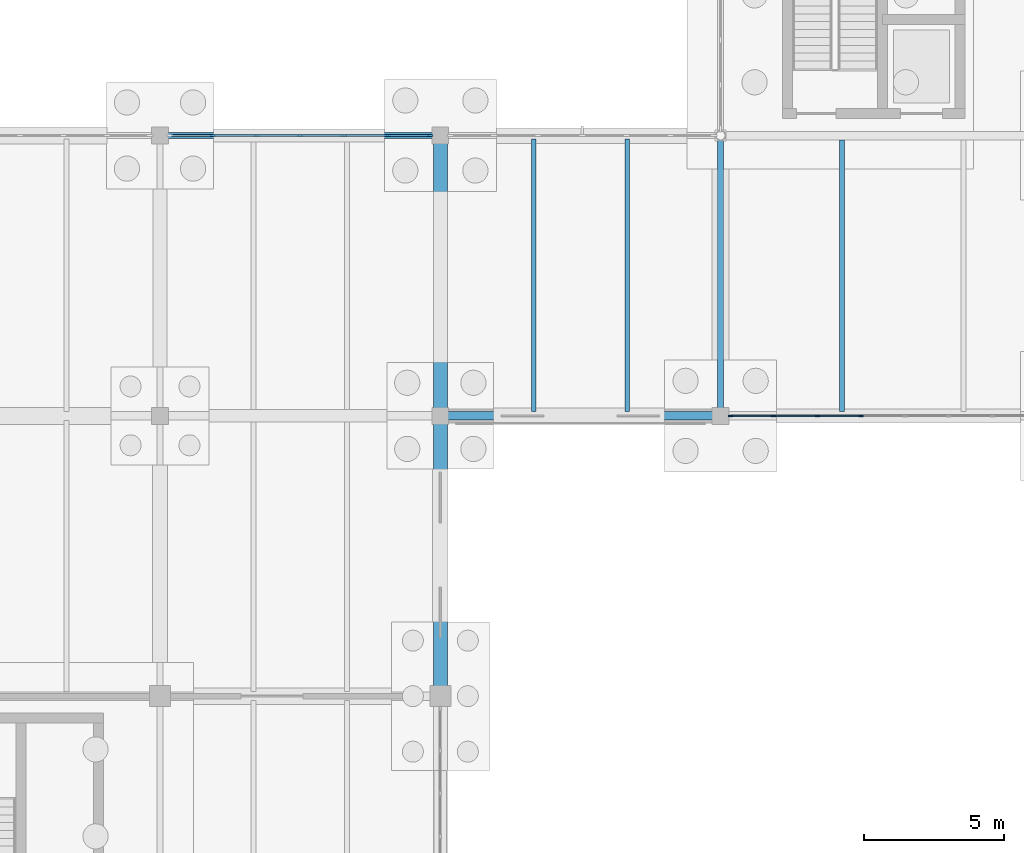
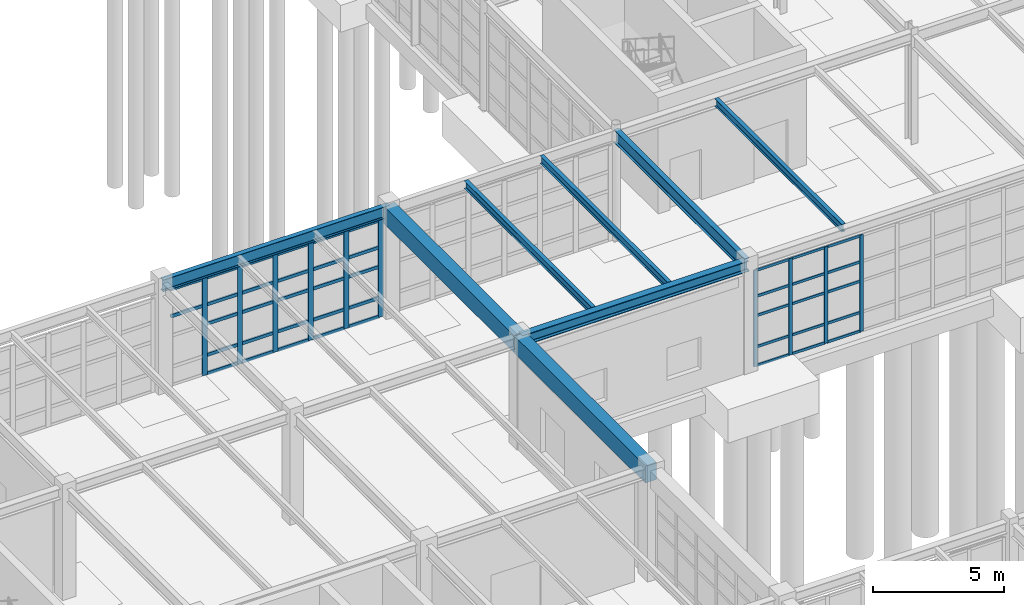
# One storey, part 49 of 145: 52 members, 8 beams, 2 elements without a shape of their own.
"""IFC4 building model written with IfcOpenShell, lengths in metres."""

from ifc_helpers import new_model, si_unit, direction, frame, origin, origin_2d, place, context, subcontext, project, spatial, rectangle, i_section, extrude, material, layer, layer_set, material_profile, profile_set, type_object, element, aggregate, save


model = new_model("IFC4")

# Units and contexts
model_context = context("Model", 3, precision=1e-05, world=origin(), true_north=direction((0.0, 1.0)))
body_context = subcontext(model_context, "Body", "Model", "MODEL_VIEW")
ifc_project = project(units=[si_unit("LENGTHUNIT", "METRE"), si_unit("AREAUNIT", "SQUARE_METRE"), si_unit("VOLUMEUNIT", "CUBIC_METRE"), si_unit("PLANEANGLEUNIT", "RADIAN"), si_unit("MASSUNIT", "GRAM", prefix="KILO"), si_unit("THERMODYNAMICTEMPERATUREUNIT", "KELVIN"), si_unit("POWERUNIT", "WATT")], contexts=[model_context])

# Site, building, storey
site_placement = place(None, origin())
site = spatial("IfcSite", under=ifc_project, at=site_placement, CompositionType="ELEMENT")
building_placement = place(site_placement, origin())
building = spatial("IfcBuilding", under=site, at=building_placement, Name="Korenveer Ferry Terminal", CompositionType="ELEMENT")
storey_placement = place(building_placement, origin())
storey = spatial("IfcBuildingStorey", under=building, at=storey_placement, Name="L00", CompositionType="ELEMENT", Elevation=0.0)

# Curtain wall, members
ifc_material_1 = material(Name="Unitised bronze-and-glass curtain wall", Category="glass")
ifc_layer_1 = layer(ifc_material_1, 0.159912109375)
ifc_layer_set_1 = layer_set([ifc_layer_1], Name="Unitised bronze-and-glass curtain wall")
curtain_wall_type_1 = type_object("IfcCurtainWallType", Name="ENV-CW-06", PredefinedType="USERDEFINED", material=ifc_layer_set_1)
curtain_wall_1_placement = place(storey_placement, frame((40.330078125, 70.0, 0.0)))
curtain_wall_1 = element("IfcCurtainWall", 1, at=curtain_wall_1_placement, inside=storey, type_object=curtain_wall_type_1, Name="Lancet curtain wall CWX-L00-X40-53-Y70-70", ObjectType="UNITISED CURTAIN WALL", PredefinedType="USERDEFINED")
ifc_material_2 = material(Name="Anodised bronze aluminium", Category="aluminium")
ifc_material_profile_1 = material_profile(ifc_material_2, rectangle(XDim=0.06005859375, YDim=0.159912109375, at=origin_2d()), Name="ALU 60x160")
ifc_profile_set_1 = profile_set([ifc_material_profile_1], Name="Anodised bronze aluminium")
member_type_1 = type_object("IfcMemberType", Name="ENV-CWM-60X160", PredefinedType="MULLION", material=ifc_profile_set_1)
member_1_placement = place(storey_placement, frame((40.360107421875, 70.0, 0.0), z_axis=(0.0, 0.0, 1.0), x_axis=(0.0, 1.0, 0.0)))
member_1 = element("IfcMember", 2, at=member_1_placement, type_object=member_type_1, Name="CW-06 mullion 1", PredefinedType="MULLION", context=body_context, shape_type="SweptSolid", body=[
    extrude(rectangle(XDim=0.06005859375, YDim=0.159912109375, at=origin_2d()), origin(), (0.0, 0.0, 1.0), 4.489990234375),
])
member_2_placement = place(storey_placement, frame((41.891357421875, 70.0, 0.0), z_axis=(0.0, 0.0, 1.0), x_axis=(0.0, 1.0, 0.0)))
member_2 = element("IfcMember", 3, at=member_2_placement, type_object=member_type_1, Name="CW-06 mullion 2", PredefinedType="MULLION", context=body_context, shape_type="SweptSolid", body=[
    extrude(rectangle(XDim=0.06005859375, YDim=0.159912109375, at=origin_2d()), origin(), (0.0, 0.0, 1.0), 4.489990234375),
])
member_3_placement = place(storey_placement, frame((43.452392578125, 70.0, 0.0), z_axis=(0.0, 0.0, 1.0), x_axis=(0.0, 1.0, 0.0)))
member_3 = element("IfcMember", 4, at=member_3_placement, type_object=member_type_1, Name="CW-06 mullion 3", PredefinedType="MULLION", context=body_context, shape_type="SweptSolid", body=[
    extrude(rectangle(XDim=0.06005859375, YDim=0.159912109375, at=origin_2d()), origin(), (0.0, 0.0, 1.0), 4.489990234375),
])
member_4_placement = place(storey_placement, frame((45.013671875, 70.0, 0.0), z_axis=(0.0, 0.0, 1.0), x_axis=(0.0, 1.0, 0.0)))
member_4 = element("IfcMember", 5, at=member_4_placement, type_object=member_type_1, Name="CW-06 mullion 4", PredefinedType="MULLION", context=body_context, shape_type="SweptSolid", body=[
    extrude(rectangle(XDim=0.06005859375, YDim=0.159912109375, at=origin_2d()), origin(), (0.0, 0.0, 1.0), 4.489990234375),
])

ifc_layer_2 = layer(ifc_material_1, 0.219970703125)
ifc_layer_set_2 = layer_set([ifc_layer_2], Name="Unitised bronze-and-glass curtain wall")
curtain_wall_type_2 = type_object("IfcCurtainWallType", Name="ENV-CW-10", PredefinedType="USERDEFINED", material=ifc_layer_set_2)
curtain_wall_2_placement = place(storey_placement, frame((20.330078125, 80.0, 0.0)))
curtain_wall_2 = element("IfcCurtainWall", 6, at=curtain_wall_2_placement, inside=storey, type_object=curtain_wall_type_2, Name="Lancet curtain wall CWX-L00-X20-30-Y80-80", ObjectType="UNITISED CURTAIN WALL", PredefinedType="USERDEFINED")
ifc_material_profile_2 = material_profile(ifc_material_2, rectangle(XDim=0.074951171875, YDim=0.219970703125, at=origin_2d()), Name="ALU 75x220")
ifc_profile_set_2 = profile_set([ifc_material_profile_2], Name="Anodised bronze aluminium")
member_type_2 = type_object("IfcMemberType", Name="ENV-CWM-75X220", PredefinedType="MULLION", material=ifc_profile_set_2)
member_5_placement = place(storey_placement, frame((21.88671875, 80.0, 0.0), z_axis=(0.0, 0.0, 1.0), x_axis=(0.0, 1.0, 0.0)))
member_5 = element("IfcMember", 7, at=member_5_placement, type_object=member_type_2, Name="CW-10 mullion 2", PredefinedType="MULLION", context=body_context, shape_type="SweptSolid", body=[
    extrude(rectangle(XDim=0.074951171875, YDim=0.219970703125, at=origin_2d()), origin(), (0.0, 0.0, 1.0), 4.5400390625),
])
member_6_placement = place(storey_placement, frame((23.443359375, 80.0, 0.0), z_axis=(0.0, 0.0, 1.0), x_axis=(0.0, 1.0, 0.0)))
member_6 = element("IfcMember", 8, at=member_6_placement, type_object=member_type_2, Name="CW-10 mullion 3", PredefinedType="MULLION", context=body_context, shape_type="SweptSolid", body=[
    extrude(rectangle(XDim=0.074951171875, YDim=0.219970703125, at=origin_2d()), origin(), (0.0, 0.0, 1.0), 4.5400390625),
])
member_7_placement = place(storey_placement, frame((25.0, 80.0, 0.0), z_axis=(0.0, 0.0, 1.0), x_axis=(0.0, 1.0, 0.0)))
member_7 = element("IfcMember", 9, at=member_7_placement, type_object=member_type_2, Name="CW-10 mullion 4", PredefinedType="MULLION", context=body_context, shape_type="SweptSolid", body=[
    extrude(rectangle(XDim=0.074951171875, YDim=0.219970703125, at=origin_2d()), origin(), (0.0, 0.0, 1.0), 4.5400390625),
])
member_8_placement = place(storey_placement, frame((26.556640625, 80.0, 0.0), z_axis=(0.0, 0.0, 1.0), x_axis=(0.0, 1.0, 0.0)))
member_8 = element("IfcMember", 10, at=member_8_placement, type_object=member_type_2, Name="CW-10 mullion 5", PredefinedType="MULLION", context=body_context, shape_type="SweptSolid", body=[
    extrude(rectangle(XDim=0.074951171875, YDim=0.219970703125, at=origin_2d()), origin(), (0.0, 0.0, 1.0), 4.5400390625),
])
member_9_placement = place(storey_placement, frame((28.11328125, 80.0, 0.0), z_axis=(0.0, 0.0, 1.0), x_axis=(0.0, 1.0, 0.0)))
member_9 = element("IfcMember", 11, at=member_9_placement, type_object=member_type_2, Name="CW-10 mullion 6", PredefinedType="MULLION", context=body_context, shape_type="SweptSolid", body=[
    extrude(rectangle(XDim=0.074951171875, YDim=0.219970703125, at=origin_2d()), origin(), (0.0, 0.0, 1.0), 4.5400390625),
])
member_10_placement = place(storey_placement, frame((29.632568359375, 80.0, 0.0), z_axis=(0.0, 0.0, 1.0), x_axis=(0.0, 1.0, 0.0)))
member_10 = element("IfcMember", 12, at=member_10_placement, type_object=member_type_2, Name="CW-10 mullion 7", PredefinedType="MULLION", context=body_context, shape_type="SweptSolid", body=[
    extrude(rectangle(XDim=0.074951171875, YDim=0.219970703125, at=origin_2d()), origin(), (0.0, 0.0, 1.0), 4.5400390625),
])

# Member
ifc_material_profile_3 = material_profile(ifc_material_2, rectangle(XDim=0.06005859375, YDim=0.1201171875, at=origin_2d()), Name="ALU 60x120")
ifc_profile_set_3 = profile_set([ifc_material_profile_3], Name="Anodised bronze aluminium")
member_type_3 = type_object("IfcMemberType", Name="ENV-CWT-60X120", PredefinedType="USERDEFINED", material=ifc_profile_set_3)
member_11_placement = place(storey_placement, frame((40.389892578125, 70.0, 0.030029296875), z_axis=(1.0, 0.0, 0.0), x_axis=(0.0, 1.0, 0.0)))
member_11 = element("IfcMember", 13, at=member_11_placement, type_object=member_type_3, Name="CW-06 transom 1.1", ObjectType="TRANSOM", PredefinedType="USERDEFINED", context=body_context, shape_type="SweptSolid", body=[
    extrude(rectangle(XDim=0.06005859375, YDim=0.1201171875, at=origin_2d()), origin(), (0.0, 0.0, 1.0), 1.471435546875),
])

member_12_placement = place(storey_placement, frame((40.389892578125, 70.0, 0.89990234375), z_axis=(1.0, 0.0, 0.0), x_axis=(0.0, 1.0, 0.0)))
member_12 = element("IfcMember", 14, at=member_12_placement, type_object=member_type_3, Name="CW-06 transom 1.2", ObjectType="TRANSOM", PredefinedType="USERDEFINED", context=body_context, shape_type="SweptSolid", body=[
    extrude(rectangle(XDim=0.06005859375, YDim=0.1201171875, at=origin_2d()), origin(), (0.0, 0.0, 1.0), 1.471435546875),
])

member_13_placement = place(storey_placement, frame((40.389892578125, 70.0, 2.35009765625), z_axis=(1.0, 0.0, 0.0), x_axis=(0.0, 1.0, 0.0)))
member_13 = element("IfcMember", 15, at=member_13_placement, type_object=member_type_3, Name="CW-06 transom 1.3", ObjectType="TRANSOM", PredefinedType="USERDEFINED", context=body_context, shape_type="SweptSolid", body=[
    extrude(rectangle(XDim=0.06005859375, YDim=0.1201171875, at=origin_2d()), origin(), (0.0, 0.0, 1.0), 1.471435546875),
])

member_14_placement = place(storey_placement, frame((40.389892578125, 70.0, 3.25), z_axis=(1.0, 0.0, 0.0), x_axis=(0.0, 1.0, 0.0)))
member_14 = element("IfcMember", 16, at=member_14_placement, type_object=member_type_3, Name="CW-06 transom 1.4", ObjectType="TRANSOM", PredefinedType="USERDEFINED", context=body_context, shape_type="SweptSolid", body=[
    extrude(rectangle(XDim=0.06005859375, YDim=0.1201171875, at=origin_2d()), origin(), (0.0, 0.0, 1.0), 1.471435546875),
])

member_15_placement = place(storey_placement, frame((40.389892578125, 70.0, 4.4599609375), z_axis=(1.0, 0.0, 0.0), x_axis=(0.0, 1.0, 0.0)))
member_15 = element("IfcMember", 17, at=member_15_placement, type_object=member_type_3, Name="CW-06 transom 1.5", ObjectType="TRANSOM", PredefinedType="USERDEFINED", context=body_context, shape_type="SweptSolid", body=[
    extrude(rectangle(XDim=0.06005859375, YDim=0.1201171875, at=origin_2d()), origin(), (0.0, 0.0, 1.0), 1.471435546875),
])

member_16_placement = place(storey_placement, frame((41.921142578125, 70.0, 0.030029296875), z_axis=(1.0, 0.0, 0.0), x_axis=(0.0, 1.0, 0.0)))
member_16 = element("IfcMember", 18, at=member_16_placement, type_object=member_type_3, Name="CW-06 transom 2.1", ObjectType="TRANSOM", PredefinedType="USERDEFINED", context=body_context, shape_type="SweptSolid", body=[
    extrude(rectangle(XDim=0.06005859375, YDim=0.1201171875, at=origin_2d()), origin(), (0.0, 0.0, 1.0), 1.50146484375),
])

member_17_placement = place(storey_placement, frame((41.921142578125, 70.0, 0.89990234375), z_axis=(1.0, 0.0, 0.0), x_axis=(0.0, 1.0, 0.0)))
member_17 = element("IfcMember", 19, at=member_17_placement, type_object=member_type_3, Name="CW-06 transom 2.2", ObjectType="TRANSOM", PredefinedType="USERDEFINED", context=body_context, shape_type="SweptSolid", body=[
    extrude(rectangle(XDim=0.06005859375, YDim=0.1201171875, at=origin_2d()), origin(), (0.0, 0.0, 1.0), 1.50146484375),
])

member_18_placement = place(storey_placement, frame((41.921142578125, 70.0, 2.35009765625), z_axis=(1.0, 0.0, 0.0), x_axis=(0.0, 1.0, 0.0)))
member_18 = element("IfcMember", 20, at=member_18_placement, type_object=member_type_3, Name="CW-06 transom 2.3", ObjectType="TRANSOM", PredefinedType="USERDEFINED", context=body_context, shape_type="SweptSolid", body=[
    extrude(rectangle(XDim=0.06005859375, YDim=0.1201171875, at=origin_2d()), origin(), (0.0, 0.0, 1.0), 1.50146484375),
])

member_19_placement = place(storey_placement, frame((41.921142578125, 70.0, 3.25), z_axis=(1.0, 0.0, 0.0), x_axis=(0.0, 1.0, 0.0)))
member_19 = element("IfcMember", 21, at=member_19_placement, type_object=member_type_3, Name="CW-06 transom 2.4", ObjectType="TRANSOM", PredefinedType="USERDEFINED", context=body_context, shape_type="SweptSolid", body=[
    extrude(rectangle(XDim=0.06005859375, YDim=0.1201171875, at=origin_2d()), origin(), (0.0, 0.0, 1.0), 1.50146484375),
])

member_20_placement = place(storey_placement, frame((41.921142578125, 70.0, 4.4599609375), z_axis=(1.0, 0.0, 0.0), x_axis=(0.0, 1.0, 0.0)))
member_20 = element("IfcMember", 22, at=member_20_placement, type_object=member_type_3, Name="CW-06 transom 2.5", ObjectType="TRANSOM", PredefinedType="USERDEFINED", context=body_context, shape_type="SweptSolid", body=[
    extrude(rectangle(XDim=0.06005859375, YDim=0.1201171875, at=origin_2d()), origin(), (0.0, 0.0, 1.0), 1.50146484375),
])

member_21_placement = place(storey_placement, frame((43.482421875, 70.0, 0.030029296875), z_axis=(1.0, 0.0, 0.0), x_axis=(0.0, 1.0, 0.0)))
member_21 = element("IfcMember", 23, at=member_21_placement, type_object=member_type_3, Name="CW-06 transom 3.1", ObjectType="TRANSOM", PredefinedType="USERDEFINED", context=body_context, shape_type="SweptSolid", body=[
    extrude(rectangle(XDim=0.06005859375, YDim=0.1201171875, at=origin_2d()), origin(), (0.0, 0.0, 1.0), 1.501220703125),
])

member_22_placement = place(storey_placement, frame((43.482421875, 70.0, 0.89990234375), z_axis=(1.0, 0.0, 0.0), x_axis=(0.0, 1.0, 0.0)))
member_22 = element("IfcMember", 24, at=member_22_placement, type_object=member_type_3, Name="CW-06 transom 3.2", ObjectType="TRANSOM", PredefinedType="USERDEFINED", context=body_context, shape_type="SweptSolid", body=[
    extrude(rectangle(XDim=0.06005859375, YDim=0.1201171875, at=origin_2d()), origin(), (0.0, 0.0, 1.0), 1.501220703125),
])

member_23_placement = place(storey_placement, frame((43.482421875, 70.0, 2.35009765625), z_axis=(1.0, 0.0, 0.0), x_axis=(0.0, 1.0, 0.0)))
member_23 = element("IfcMember", 25, at=member_23_placement, type_object=member_type_3, Name="CW-06 transom 3.3", ObjectType="TRANSOM", PredefinedType="USERDEFINED", context=body_context, shape_type="SweptSolid", body=[
    extrude(rectangle(XDim=0.06005859375, YDim=0.1201171875, at=origin_2d()), origin(), (0.0, 0.0, 1.0), 1.501220703125),
])

member_24_placement = place(storey_placement, frame((43.482421875, 70.0, 3.25), z_axis=(1.0, 0.0, 0.0), x_axis=(0.0, 1.0, 0.0)))
member_24 = element("IfcMember", 26, at=member_24_placement, type_object=member_type_3, Name="CW-06 transom 3.4", ObjectType="TRANSOM", PredefinedType="USERDEFINED", context=body_context, shape_type="SweptSolid", body=[
    extrude(rectangle(XDim=0.06005859375, YDim=0.1201171875, at=origin_2d()), origin(), (0.0, 0.0, 1.0), 1.501220703125),
])

member_25_placement = place(storey_placement, frame((43.482421875, 70.0, 4.4599609375), z_axis=(1.0, 0.0, 0.0), x_axis=(0.0, 1.0, 0.0)))
member_25 = element("IfcMember", 27, at=member_25_placement, type_object=member_type_3, Name="CW-06 transom 3.5", ObjectType="TRANSOM", PredefinedType="USERDEFINED", context=body_context, shape_type="SweptSolid", body=[
    extrude(rectangle(XDim=0.06005859375, YDim=0.1201171875, at=origin_2d()), origin(), (0.0, 0.0, 1.0), 1.501220703125),
])

aggregate(curtain_wall_1, [member_1, member_2, member_3, member_4, member_11, member_12, member_13, member_14, member_15, member_16, member_17, member_18, member_19, member_20, member_21, member_22, member_23, member_24, member_25])

ifc_material_profile_4 = material_profile(ifc_material_2, rectangle(XDim=0.074951171875, YDim=0.14990234375, at=origin_2d()), Name="ALU 75x150")
ifc_profile_set_4 = profile_set([ifc_material_profile_4], Name="Anodised bronze aluminium")
member_type_4 = type_object("IfcMemberType", Name="ENV-CWT-75X150", PredefinedType="USERDEFINED", material=ifc_profile_set_4)
member_26_placement = place(storey_placement, frame((20.405029296875, 80.0, 3.25), z_axis=(1.0, 0.0, 0.0), x_axis=(0.0, 1.0, 0.0)))
member_26 = element("IfcMember", 28, at=member_26_placement, type_object=member_type_4, Name="CW-10 transom 1.4", ObjectType="TRANSOM", PredefinedType="USERDEFINED", context=body_context, shape_type="SweptSolid", body=[
    extrude(rectangle(XDim=0.074951171875, YDim=0.14990234375, at=origin_2d()), origin(), (0.0, 0.0, 1.0), 1.444091796875),
])

member_27_placement = place(storey_placement, frame((20.405029296875, 80.0, 4.50244140625), z_axis=(1.0, 0.0, 0.0), x_axis=(0.0, 1.0, 0.0)))
member_27 = element("IfcMember", 29, at=member_27_placement, type_object=member_type_4, Name="CW-10 transom 1.5", ObjectType="TRANSOM", PredefinedType="USERDEFINED", context=body_context, shape_type="SweptSolid", body=[
    extrude(rectangle(XDim=0.074951171875, YDim=0.14990234375, at=origin_2d()), origin(), (0.0, 0.0, 1.0), 1.444091796875),
])

member_28_placement = place(storey_placement, frame((21.924072265625, 80.0, 0.03759765625), z_axis=(1.0, 0.0, 0.0), x_axis=(0.0, 1.0, 0.0)))
member_28 = element("IfcMember", 30, at=member_28_placement, type_object=member_type_4, Name="CW-10 transom 2.1", ObjectType="TRANSOM", PredefinedType="USERDEFINED", context=body_context, shape_type="SweptSolid", body=[
    extrude(rectangle(XDim=0.074951171875, YDim=0.14990234375, at=origin_2d()), origin(), (0.0, 0.0, 1.0), 1.481689453125),
])

member_29_placement = place(storey_placement, frame((21.924072265625, 80.0, 0.89990234375), z_axis=(1.0, 0.0, 0.0), x_axis=(0.0, 1.0, 0.0)))
member_29 = element("IfcMember", 31, at=member_29_placement, type_object=member_type_4, Name="CW-10 transom 2.2", ObjectType="TRANSOM", PredefinedType="USERDEFINED", context=body_context, shape_type="SweptSolid", body=[
    extrude(rectangle(XDim=0.074951171875, YDim=0.14990234375, at=origin_2d()), origin(), (0.0, 0.0, 1.0), 1.481689453125),
])

member_30_placement = place(storey_placement, frame((21.924072265625, 80.0, 2.35009765625), z_axis=(1.0, 0.0, 0.0), x_axis=(0.0, 1.0, 0.0)))
member_30 = element("IfcMember", 32, at=member_30_placement, type_object=member_type_4, Name="CW-10 transom 2.3", ObjectType="TRANSOM", PredefinedType="USERDEFINED", context=body_context, shape_type="SweptSolid", body=[
    extrude(rectangle(XDim=0.074951171875, YDim=0.14990234375, at=origin_2d()), origin(), (0.0, 0.0, 1.0), 1.481689453125),
])

member_31_placement = place(storey_placement, frame((21.924072265625, 80.0, 3.25), z_axis=(1.0, 0.0, 0.0), x_axis=(0.0, 1.0, 0.0)))
member_31 = element("IfcMember", 33, at=member_31_placement, type_object=member_type_4, Name="CW-10 transom 2.4", ObjectType="TRANSOM", PredefinedType="USERDEFINED", context=body_context, shape_type="SweptSolid", body=[
    extrude(rectangle(XDim=0.074951171875, YDim=0.14990234375, at=origin_2d()), origin(), (0.0, 0.0, 1.0), 1.481689453125),
])

member_32_placement = place(storey_placement, frame((21.924072265625, 80.0, 4.50244140625), z_axis=(1.0, 0.0, 0.0), x_axis=(0.0, 1.0, 0.0)))
member_32 = element("IfcMember", 34, at=member_32_placement, type_object=member_type_4, Name="CW-10 transom 2.5", ObjectType="TRANSOM", PredefinedType="USERDEFINED", context=body_context, shape_type="SweptSolid", body=[
    extrude(rectangle(XDim=0.074951171875, YDim=0.14990234375, at=origin_2d()), origin(), (0.0, 0.0, 1.0), 1.481689453125),
])

member_33_placement = place(storey_placement, frame((23.480712890625, 80.0, 0.03759765625), z_axis=(1.0, 0.0, 0.0), x_axis=(0.0, 1.0, 0.0)))
member_33 = element("IfcMember", 35, at=member_33_placement, type_object=member_type_4, Name="CW-10 transom 3.1", ObjectType="TRANSOM", PredefinedType="USERDEFINED", context=body_context, shape_type="SweptSolid", body=[
    extrude(rectangle(XDim=0.074951171875, YDim=0.14990234375, at=origin_2d()), origin(), (0.0, 0.0, 1.0), 1.481689453125),
])

member_34_placement = place(storey_placement, frame((23.480712890625, 80.0, 0.89990234375), z_axis=(1.0, 0.0, 0.0), x_axis=(0.0, 1.0, 0.0)))
member_34 = element("IfcMember", 36, at=member_34_placement, type_object=member_type_4, Name="CW-10 transom 3.2", ObjectType="TRANSOM", PredefinedType="USERDEFINED", context=body_context, shape_type="SweptSolid", body=[
    extrude(rectangle(XDim=0.074951171875, YDim=0.14990234375, at=origin_2d()), origin(), (0.0, 0.0, 1.0), 1.481689453125),
])

member_35_placement = place(storey_placement, frame((23.480712890625, 80.0, 2.35009765625), z_axis=(1.0, 0.0, 0.0), x_axis=(0.0, 1.0, 0.0)))
member_35 = element("IfcMember", 37, at=member_35_placement, type_object=member_type_4, Name="CW-10 transom 3.3", ObjectType="TRANSOM", PredefinedType="USERDEFINED", context=body_context, shape_type="SweptSolid", body=[
    extrude(rectangle(XDim=0.074951171875, YDim=0.14990234375, at=origin_2d()), origin(), (0.0, 0.0, 1.0), 1.481689453125),
])

member_36_placement = place(storey_placement, frame((23.480712890625, 80.0, 3.25), z_axis=(1.0, 0.0, 0.0), x_axis=(0.0, 1.0, 0.0)))
member_36 = element("IfcMember", 38, at=member_36_placement, type_object=member_type_4, Name="CW-10 transom 3.4", ObjectType="TRANSOM", PredefinedType="USERDEFINED", context=body_context, shape_type="SweptSolid", body=[
    extrude(rectangle(XDim=0.074951171875, YDim=0.14990234375, at=origin_2d()), origin(), (0.0, 0.0, 1.0), 1.481689453125),
])

member_37_placement = place(storey_placement, frame((23.480712890625, 80.0, 4.50244140625), z_axis=(1.0, 0.0, 0.0), x_axis=(0.0, 1.0, 0.0)))
member_37 = element("IfcMember", 39, at=member_37_placement, type_object=member_type_4, Name="CW-10 transom 3.5", ObjectType="TRANSOM", PredefinedType="USERDEFINED", context=body_context, shape_type="SweptSolid", body=[
    extrude(rectangle(XDim=0.074951171875, YDim=0.14990234375, at=origin_2d()), origin(), (0.0, 0.0, 1.0), 1.481689453125),
])

member_38_placement = place(storey_placement, frame((25.03759765625, 80.0, 0.03759765625), z_axis=(1.0, 0.0, 0.0), x_axis=(0.0, 1.0, 0.0)))
member_38 = element("IfcMember", 40, at=member_38_placement, type_object=member_type_4, Name="CW-10 transom 4.1", ObjectType="TRANSOM", PredefinedType="USERDEFINED", context=body_context, shape_type="SweptSolid", body=[
    extrude(rectangle(XDim=0.074951171875, YDim=0.14990234375, at=origin_2d()), origin(), (0.0, 0.0, 1.0), 1.481689453125),
])

member_39_placement = place(storey_placement, frame((25.03759765625, 80.0, 0.89990234375), z_axis=(1.0, 0.0, 0.0), x_axis=(0.0, 1.0, 0.0)))
member_39 = element("IfcMember", 41, at=member_39_placement, type_object=member_type_4, Name="CW-10 transom 4.2", ObjectType="TRANSOM", PredefinedType="USERDEFINED", context=body_context, shape_type="SweptSolid", body=[
    extrude(rectangle(XDim=0.074951171875, YDim=0.14990234375, at=origin_2d()), origin(), (0.0, 0.0, 1.0), 1.481689453125),
])

member_40_placement = place(storey_placement, frame((25.03759765625, 80.0, 2.35009765625), z_axis=(1.0, 0.0, 0.0), x_axis=(0.0, 1.0, 0.0)))
member_40 = element("IfcMember", 42, at=member_40_placement, type_object=member_type_4, Name="CW-10 transom 4.3", ObjectType="TRANSOM", PredefinedType="USERDEFINED", context=body_context, shape_type="SweptSolid", body=[
    extrude(rectangle(XDim=0.074951171875, YDim=0.14990234375, at=origin_2d()), origin(), (0.0, 0.0, 1.0), 1.481689453125),
])

member_41_placement = place(storey_placement, frame((25.03759765625, 80.0, 3.25), z_axis=(1.0, 0.0, 0.0), x_axis=(0.0, 1.0, 0.0)))
member_41 = element("IfcMember", 43, at=member_41_placement, type_object=member_type_4, Name="CW-10 transom 4.4", ObjectType="TRANSOM", PredefinedType="USERDEFINED", context=body_context, shape_type="SweptSolid", body=[
    extrude(rectangle(XDim=0.074951171875, YDim=0.14990234375, at=origin_2d()), origin(), (0.0, 0.0, 1.0), 1.481689453125),
])

member_42_placement = place(storey_placement, frame((25.03759765625, 80.0, 4.50244140625), z_axis=(1.0, 0.0, 0.0), x_axis=(0.0, 1.0, 0.0)))
member_42 = element("IfcMember", 44, at=member_42_placement, type_object=member_type_4, Name="CW-10 transom 4.5", ObjectType="TRANSOM", PredefinedType="USERDEFINED", context=body_context, shape_type="SweptSolid", body=[
    extrude(rectangle(XDim=0.074951171875, YDim=0.14990234375, at=origin_2d()), origin(), (0.0, 0.0, 1.0), 1.481689453125),
])

member_43_placement = place(storey_placement, frame((26.59423828125, 80.0, 0.03759765625), z_axis=(1.0, 0.0, 0.0), x_axis=(0.0, 1.0, 0.0)))
member_43 = element("IfcMember", 45, at=member_43_placement, type_object=member_type_4, Name="CW-10 transom 5.1", ObjectType="TRANSOM", PredefinedType="USERDEFINED", context=body_context, shape_type="SweptSolid", body=[
    extrude(rectangle(XDim=0.074951171875, YDim=0.14990234375, at=origin_2d()), origin(), (0.0, 0.0, 1.0), 1.481689453125),
])

member_44_placement = place(storey_placement, frame((26.59423828125, 80.0, 0.89990234375), z_axis=(1.0, 0.0, 0.0), x_axis=(0.0, 1.0, 0.0)))
member_44 = element("IfcMember", 46, at=member_44_placement, type_object=member_type_4, Name="CW-10 transom 5.2", ObjectType="TRANSOM", PredefinedType="USERDEFINED", context=body_context, shape_type="SweptSolid", body=[
    extrude(rectangle(XDim=0.074951171875, YDim=0.14990234375, at=origin_2d()), origin(), (0.0, 0.0, 1.0), 1.481689453125),
])

member_45_placement = place(storey_placement, frame((26.59423828125, 80.0, 2.35009765625), z_axis=(1.0, 0.0, 0.0), x_axis=(0.0, 1.0, 0.0)))
member_45 = element("IfcMember", 47, at=member_45_placement, type_object=member_type_4, Name="CW-10 transom 5.3", ObjectType="TRANSOM", PredefinedType="USERDEFINED", context=body_context, shape_type="SweptSolid", body=[
    extrude(rectangle(XDim=0.074951171875, YDim=0.14990234375, at=origin_2d()), origin(), (0.0, 0.0, 1.0), 1.481689453125),
])

member_46_placement = place(storey_placement, frame((26.59423828125, 80.0, 3.25), z_axis=(1.0, 0.0, 0.0), x_axis=(0.0, 1.0, 0.0)))
member_46 = element("IfcMember", 48, at=member_46_placement, type_object=member_type_4, Name="CW-10 transom 5.4", ObjectType="TRANSOM", PredefinedType="USERDEFINED", context=body_context, shape_type="SweptSolid", body=[
    extrude(rectangle(XDim=0.074951171875, YDim=0.14990234375, at=origin_2d()), origin(), (0.0, 0.0, 1.0), 1.481689453125),
])

member_47_placement = place(storey_placement, frame((26.59423828125, 80.0, 4.50244140625), z_axis=(1.0, 0.0, 0.0), x_axis=(0.0, 1.0, 0.0)))
member_47 = element("IfcMember", 49, at=member_47_placement, type_object=member_type_4, Name="CW-10 transom 5.5", ObjectType="TRANSOM", PredefinedType="USERDEFINED", context=body_context, shape_type="SweptSolid", body=[
    extrude(rectangle(XDim=0.074951171875, YDim=0.14990234375, at=origin_2d()), origin(), (0.0, 0.0, 1.0), 1.481689453125),
])

member_48_placement = place(storey_placement, frame((28.15087890625, 80.0, 0.03759765625), z_axis=(1.0, 0.0, 0.0), x_axis=(0.0, 1.0, 0.0)))
member_48 = element("IfcMember", 50, at=member_48_placement, type_object=member_type_4, Name="CW-10 transom 6.1", ObjectType="TRANSOM", PredefinedType="USERDEFINED", context=body_context, shape_type="SweptSolid", body=[
    extrude(rectangle(XDim=0.074951171875, YDim=0.14990234375, at=origin_2d()), origin(), (0.0, 0.0, 1.0), 1.444091796875),
])

member_49_placement = place(storey_placement, frame((28.15087890625, 80.0, 0.89990234375), z_axis=(1.0, 0.0, 0.0), x_axis=(0.0, 1.0, 0.0)))
member_49 = element("IfcMember", 51, at=member_49_placement, type_object=member_type_4, Name="CW-10 transom 6.2", ObjectType="TRANSOM", PredefinedType="USERDEFINED", context=body_context, shape_type="SweptSolid", body=[
    extrude(rectangle(XDim=0.074951171875, YDim=0.14990234375, at=origin_2d()), origin(), (0.0, 0.0, 1.0), 1.444091796875),
])

member_50_placement = place(storey_placement, frame((28.15087890625, 80.0, 2.35009765625), z_axis=(1.0, 0.0, 0.0), x_axis=(0.0, 1.0, 0.0)))
member_50 = element("IfcMember", 52, at=member_50_placement, type_object=member_type_4, Name="CW-10 transom 6.3", ObjectType="TRANSOM", PredefinedType="USERDEFINED", context=body_context, shape_type="SweptSolid", body=[
    extrude(rectangle(XDim=0.074951171875, YDim=0.14990234375, at=origin_2d()), origin(), (0.0, 0.0, 1.0), 1.444091796875),
])

member_51_placement = place(storey_placement, frame((28.15087890625, 80.0, 3.25), z_axis=(1.0, 0.0, 0.0), x_axis=(0.0, 1.0, 0.0)))
member_51 = element("IfcMember", 53, at=member_51_placement, type_object=member_type_4, Name="CW-10 transom 6.4", ObjectType="TRANSOM", PredefinedType="USERDEFINED", context=body_context, shape_type="SweptSolid", body=[
    extrude(rectangle(XDim=0.074951171875, YDim=0.14990234375, at=origin_2d()), origin(), (0.0, 0.0, 1.0), 1.444091796875),
])

member_52_placement = place(storey_placement, frame((28.15087890625, 80.0, 4.50244140625), z_axis=(1.0, 0.0, 0.0), x_axis=(0.0, 1.0, 0.0)))
member_52 = element("IfcMember", 54, at=member_52_placement, type_object=member_type_4, Name="CW-10 transom 6.5", ObjectType="TRANSOM", PredefinedType="USERDEFINED", context=body_context, shape_type="SweptSolid", body=[
    extrude(rectangle(XDim=0.074951171875, YDim=0.14990234375, at=origin_2d()), origin(), (0.0, 0.0, 1.0), 1.444091796875),
])

aggregate(curtain_wall_2, [member_5, member_6, member_7, member_8, member_9, member_10, member_26, member_27, member_28, member_29, member_30, member_31, member_32, member_33, member_34, member_35, member_36, member_37, member_38, member_39, member_40, member_41, member_42, member_43, member_44, member_45, member_46, member_47, member_48, member_49, member_50, member_51, member_52])

# Beams
ifc_material_3 = material(Name="Steel S355", Category="steel")
ifc_material_profile_5 = material_profile(ifc_material_3, i_section(OverallWidth=0.300048828125, OverallDepth=0.5, WebThickness=0.014404296875, FlangeThickness=0.028076171875, FilletRadius=0.027099609375, at=origin_2d()), Name="HEB 500")
ifc_profile_set_5 = profile_set([ifc_material_profile_5], Name="Steel S355")
beam_type_1 = type_object("IfcBeamType", Name="STR-BM-HEB500", PredefinedType="BEAM", material=ifc_profile_set_5)
beam_1_placement = place(storey_placement, frame((30.02001953125, 70.0, 4.8701171875), z_axis=(1.0, 0.0, 0.0), x_axis=(0.0, 1.0, 0.0)))
element("IfcBeam", 55, at=beam_1_placement, inside=storey, type_object=beam_type_1, Name="Primary X girder BMX-L01-X30-40-Y70", PredefinedType="BEAM", context=body_context, shape_type="SweptSolid", body=[
    extrude(i_section(OverallWidth=0.300048828125, OverallDepth=0.5, WebThickness=0.014404296875, FlangeThickness=0.028076171875, FilletRadius=0.027099609375, at=origin_2d()), origin(), (0.0, 0.0, 1.0), 9.9599609375),
])
ifc_material_profile_6 = material_profile(ifc_material_3, i_section(OverallWidth=0.2099609375, OverallDepth=0.550048828125, WebThickness=0.010986328125, FlangeThickness=0.01708984375, FilletRadius=0.02392578125, at=origin_2d()), Name="IPE 550")
ifc_profile_set_6 = profile_set([ifc_material_profile_6], Name="Steel S355")
beam_type_2 = type_object("IfcBeamType", Name="STR-BM-IPE550", PredefinedType="BEAM", material=ifc_profile_set_6)
beam_2_placement = place(storey_placement, frame((20.02001953125, 80.0, 4.844970703125), z_axis=(1.0, 0.0, 0.0), x_axis=(0.0, 1.0, 0.0)))
element("IfcBeam", 56, at=beam_2_placement, inside=storey, type_object=beam_type_2, Name="Primary X girder BMX-L01-X20-30-Y80", PredefinedType="BEAM", context=body_context, shape_type="SweptSolid", body=[
    extrude(i_section(OverallWidth=0.2099609375, OverallDepth=0.550048828125, WebThickness=0.010986328125, FlangeThickness=0.01708984375, FilletRadius=0.02392578125, at=origin_2d()), origin(), (0.0, 0.0, 1.0), 9.9599609375),
])
ifc_material_profile_7 = material_profile(ifc_material_3, i_section(OverallWidth=0.219970703125, OverallDepth=0.60009765625, WebThickness=0.011962890625, FlangeThickness=0.01904296875, FilletRadius=0.02392578125, at=origin_2d()), Name="IPE 600")
ifc_profile_set_7 = profile_set([ifc_material_profile_7], Name="Steel S355")
beam_type_3 = type_object("IfcBeamType", Name="STR-BM-IPE600", PredefinedType="BEAM", material=ifc_profile_set_7)
beam_3_placement = place(storey_placement, frame((40.0, 70.02001953125, 4.820068359375), z_axis=(0.0, 1.0, 0.0), x_axis=(-1.0, 0.0, 0.0)))
element("IfcBeam", 57, at=beam_3_placement, inside=storey, type_object=beam_type_3, Name="Primary Y girder BMY-L01-X40-Y70-80", PredefinedType="BEAM", context=body_context, shape_type="SweptSolid", body=[
    extrude(i_section(OverallWidth=0.219970703125, OverallDepth=0.60009765625, WebThickness=0.011962890625, FlangeThickness=0.01904296875, FilletRadius=0.02392578125, at=origin_2d()), origin(), (0.0, 0.0, 1.0), 9.9599609375),
])
ifc_material_4 = material(Name="Concrete C40/50", Category="concrete")
ifc_material_profile_8 = material_profile(ifc_material_4, rectangle(XDim=0.5, YDim=0.800048828125, at=origin_2d()), Name="RC 500x800")
ifc_profile_set_8 = profile_set([ifc_material_profile_8], Name="Concrete C40/50")
beam_type_4 = type_object("IfcBeamType", Name="STR-BM-RC500X800", PredefinedType="BEAM", material=ifc_profile_set_8)
for number, where, z_axis, x_axis, name in (
    (58, (30.0, 60.02001953125, 4.719970703125), (0.0, 1.0, 0.0), (-1.0, 0.0, 0.0), "Primary Y girder BMY-L01-X30-Y60-70"),
    (59, (30.0, 70.02001953125, 4.719970703125), (0.0, 1.0, 0.0), (-1.0, 0.0, 0.0), "Primary Y girder BMY-L01-X30-Y70-80"),
):
    element("IfcBeam", number, at=place(storey_placement, frame(where, z_axis=z_axis, x_axis=x_axis)), inside=storey, type_object=beam_type_4, Name=name, PredefinedType="BEAM", context=body_context, shape_type="SweptSolid", body=[
        extrude(rectangle(XDim=0.5, YDim=0.800048828125, at=origin_2d()), origin(), (0.0, 0.0, 1.0), 9.9599609375),
    ])
ifc_material_profile_9 = material_profile(ifc_material_3, i_section(OverallWidth=0.169921875, OverallDepth=0.360107421875, WebThickness=0.008056640625, FlangeThickness=0.0126953125, FilletRadius=0.01806640625, at=origin_2d()), Name="IPE 360")
ifc_profile_set_9 = profile_set([ifc_material_profile_9], Name="Steel S355")
beam_type_5 = type_object("IfcBeamType", Name="STR-JST-IPE360", PredefinedType="JOIST", material=ifc_profile_set_9)
for number, where, z_axis, x_axis, name in (
    (60, (33.333251953125, 70.159912109375, 4.93994140625), (0.0, 1.0, 0.0), (-1.0, 0.0, 0.0), "Secondary composite joist JST-L01-X333-Y70-80"),
    (61, (36.666748046875, 70.159912109375, 4.93994140625), (0.0, 1.0, 0.0), (-1.0, 0.0, 0.0), "Secondary composite joist JST-L01-X367-Y70-80"),
):
    element("IfcBeam", number, at=place(storey_placement, frame(where, z_axis=z_axis, x_axis=x_axis)), inside=storey, type_object=beam_type_5, Name=name, PredefinedType="JOIST", context=body_context, shape_type="SweptSolid", body=[
        extrude(i_section(OverallWidth=0.169921875, OverallDepth=0.360107421875, WebThickness=0.008056640625, FlangeThickness=0.0126953125, FilletRadius=0.01806640625, at=origin_2d()), origin(), (0.0, 0.0, 1.0), 9.72509765625),
    ])
beam_4_placement = place(storey_placement, frame((44.333251953125, 70.159912109375, 4.93994140625), z_axis=(0.0, 1.0, 0.0), x_axis=(-1.0, 0.0, 0.0)))
element("IfcBeam", 62, at=beam_4_placement, inside=storey, type_object=beam_type_5, Name="Secondary composite joist JST-L01-X443-Y70-80", PredefinedType="JOIST", context=body_context, shape_type="SweptSolid", body=[
    extrude(i_section(OverallWidth=0.169921875, OverallDepth=0.360107421875, WebThickness=0.008056640625, FlangeThickness=0.0126953125, FilletRadius=0.01806640625, at=origin_2d()), origin(), (0.0, 0.0, 1.0), 9.68017578125),
])

save(model, "model.ifc")
